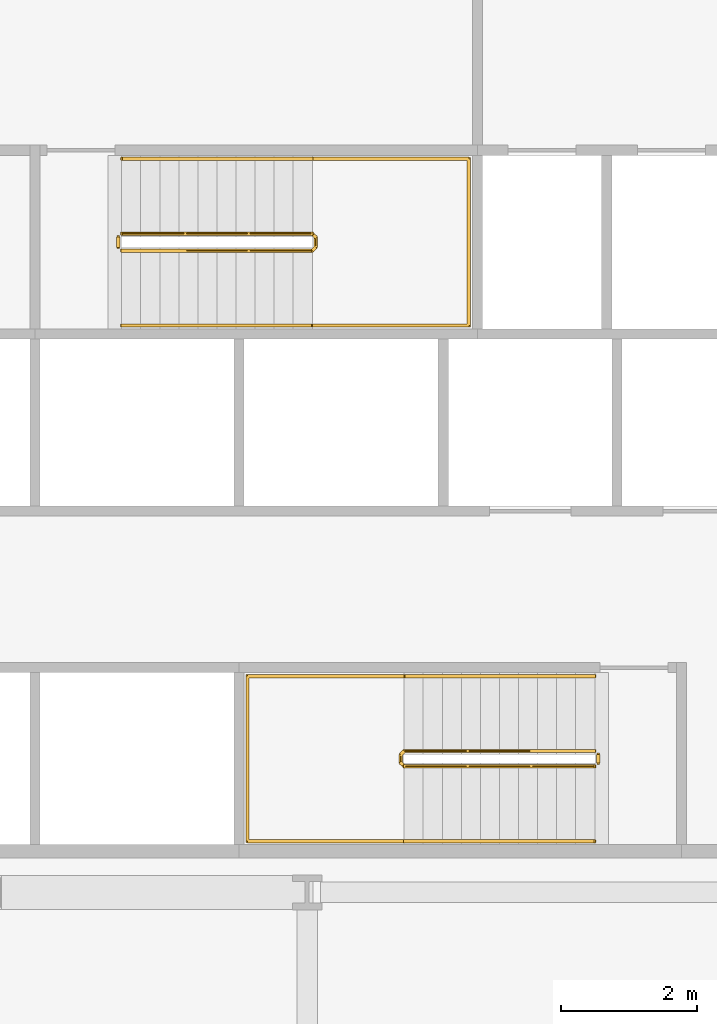
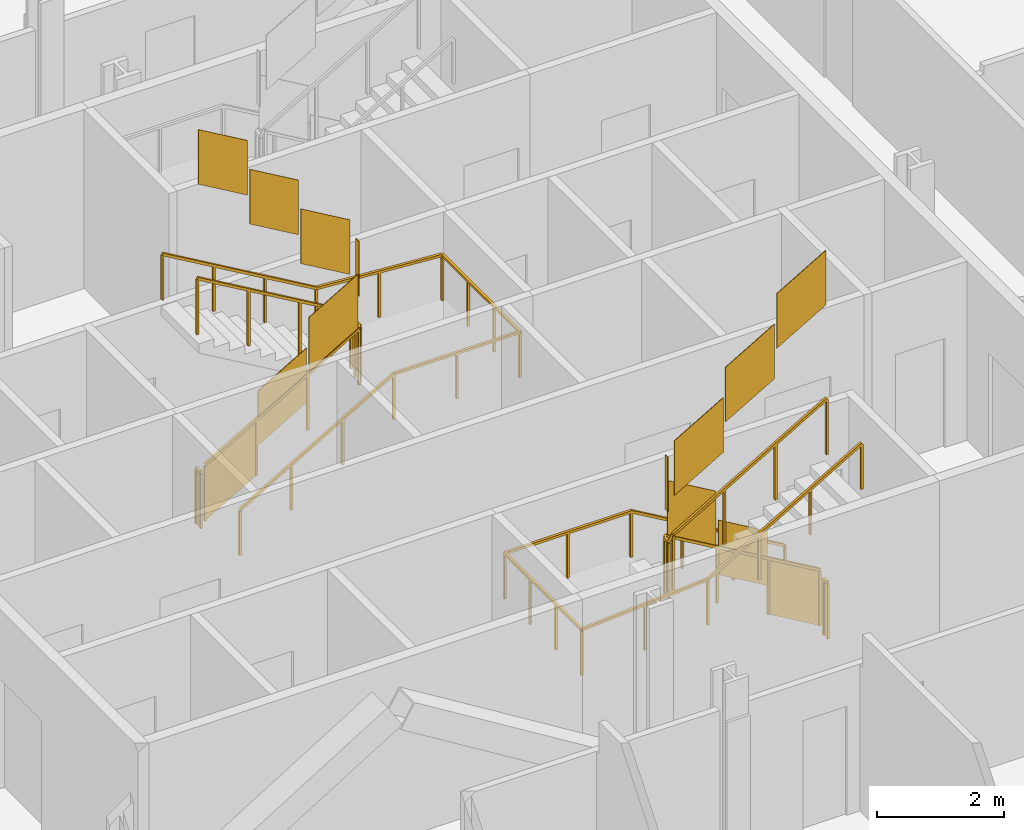
# One storey, part 14 of 17: 6 railings.
"""IFC4 building model written with IfcOpenShell, lengths in metres."""

from ifc_helpers import new_model, si_unit, direction, frame, origin, origin_2d, place, context, subcontext, project, spatial, polyline, rectangle, outline, extrude, material, type_object, element, save


model = new_model("IFC4")

# Units and contexts
model_context = context("Model", 3, precision=1e-05, world=origin(), true_north=direction((0.0, 1.0)))
body_context = subcontext(model_context, "Body", "Model", "MODEL_VIEW")
ifc_project = project(units=[si_unit("LENGTHUNIT", "METRE"), si_unit("AREAUNIT", "SQUARE_METRE"), si_unit("VOLUMEUNIT", "CUBIC_METRE"), si_unit("PLANEANGLEUNIT", "RADIAN"), si_unit("MASSUNIT", "GRAM", prefix="KILO")], contexts=[model_context])

# Site, building, storey
site_placement = place(None, origin())
site = spatial("IfcSite", under=ifc_project, at=site_placement, CompositionType="ELEMENT")
building_placement = place(site_placement, origin())
building = spatial("IfcBuilding", under=site, at=building_placement, Name="Cairn Pilgrim Tower", CompositionType="ELEMENT")
storey_placement = place(building_placement, frame((0.0, 0.0, 79.800048828125)))
storey = spatial("IfcBuildingStorey", under=building, at=storey_placement, Name="L18", CompositionType="ELEMENT", Elevation=79.800048828125)

# Railings
ifc_material = material(Name="Painted steel", Category="steel")
railing_type_1 = type_object("IfcRailingType", Name="STAIR GUARD 1100", PredefinedType="GUARDRAIL", material=ifc_material)
railing_1_placement = place(storey_placement, frame((11.425048828125, -3.925048828125, 0.16357421875)))
element("IfcRailing", 1, at=railing_1_placement, inside=storey, type_object=railing_type_1, Name="L18 ST-A stair guard 1", PredefinedType="GUARDRAIL", context=body_context, shape_type="SweptSolid", body=[
    extrude(rectangle(XDim=0.048095703125, YDim=0.048095703125, at=origin_2d()), frame((0.0, 0.0, 1.076171875), z_axis=(-0.863360870873, 0.0, 0.504586966384), x_axis=(0.0, -1.0, 0.0)), (0.0, 0.0, 1.0), 3.2431640625),
    extrude(rectangle(XDim=0.048095703125, YDim=0.048095703125, at=origin_2d()), frame((-2.800048828125, 0.0, 2.71240234375), z_axis=(-0.707106781187, -0.707106781187, 0.0), x_axis=(0.707106781187, -0.707106781187, 0.0)), (0.0, 0.0, 1.0), 0.07080078125),
    extrude(rectangle(XDim=0.048095703125, YDim=0.048095703125, at=origin_2d()), frame((-2.85009765625, -0.050048828125, 2.71240234375), z_axis=(0.0, -1.0, 0.0), x_axis=(1.0, 0.0, 0.0)), (0.0, 0.0, 1.0), 0.125),
    extrude(rectangle(XDim=0.048095703125, YDim=0.048095703125, at=origin_2d()), frame((-2.85009765625, -0.175048828125, 2.71240234375), z_axis=(0.280916556609, -0.279546231943, 0.91811752648), x_axis=(0.705375805398, 0.708833529934, 0.0)), (0.0, 0.0, 1.0), 0.17822265625),
    extrude(rectangle(XDim=0.048095703125, YDim=0.048095703125, at=origin_2d()), frame((-2.800048828125, -0.224853515625, 2.8759765625), z_axis=(0.863393664356, 0.0, 0.504530851732), x_axis=(0.0, 1.0, 0.0)), (0.0, 0.0, 1.0), 3.2431640625),
    extrude(rectangle(XDim=0.0419921875, YDim=0.0419921875, at=origin_2d()), origin(), (0.0, 0.0, 1.0), 1.052001953125),
    extrude(rectangle(XDim=0.0419921875, YDim=0.0419921875, at=origin_2d()), frame((-0.933349609375, 0.0, 0.54541015625)), (0.0, 0.0, 1.0), 1.052001953125),
    extrude(rectangle(XDim=0.0419921875, YDim=0.0419921875, at=origin_2d()), frame((-1.86669921875, 0.0, 1.091064453125)), (0.0, 0.0, 1.0), 1.052001953125),
    extrude(rectangle(XDim=0.0419921875, YDim=0.0419921875, at=origin_2d()), frame((-2.800048828125, 0.0, 1.636474609375)), (0.0, 0.0, 1.0), 1.052001953125),
    extrude(rectangle(XDim=0.0419921875, YDim=0.0419921875, at=origin_2d()), frame((-2.85009765625, -0.050048828125, 1.636474609375)), (0.0, 0.0, 1.0), 1.052001953125),
    extrude(rectangle(XDim=0.0419921875, YDim=0.0419921875, at=origin_2d()), frame((-2.85009765625, -0.175048828125, 1.636474609375)), (0.0, 0.0, 1.0), 1.052001953125),
    extrude(rectangle(XDim=0.0419921875, YDim=0.0419921875, at=origin_2d()), frame((-2.800048828125, -0.224853515625, 1.800048828125)), (0.0, 0.0, 1.0), 1.052001953125),
    extrude(rectangle(XDim=0.0419921875, YDim=0.0419921875, at=origin_2d()), frame((-1.86669921875, -0.224853515625, 2.345458984375)), (0.0, 0.0, 1.0), 1.052001953125),
    extrude(rectangle(XDim=0.0419921875, YDim=0.0419921875, at=origin_2d()), frame((-0.933349609375, -0.224853515625, 2.890869140625)), (0.0, 0.0, 1.0), 1.052001953125),
    extrude(rectangle(XDim=0.0419921875, YDim=0.0419921875, at=origin_2d()), frame((0.0, -0.224853515625, 3.436279296875)), (0.0, 0.0, 1.0), 1.052001953125),
    extrude(outline(polyline([(0.02099609375, 0.01220703125), (0.912353515625, 0.533203125), (0.912353515625, 1.585205078125), (0.02099609375, 1.064208984375), (0.02099609375, 0.01220703125)])), frame((0.0, -0.005859375, 0.0), z_axis=(0.0, 1.0, 0.0), x_axis=(-1.0, 0.0, 0.0)), (0.0, 0.0, 1.0), 0.011962890625),
    extrude(outline(polyline([(0.02099609375, 0.557861328125), (0.912353515625, 1.07861328125), (0.912353515625, 2.130615234375), (0.02099609375, 1.60986328125), (0.02099609375, 0.557861328125)])), frame((-0.933349609375, -0.005859375, 0.54541015625), z_axis=(0.0, 1.0, 0.0), x_axis=(-1.0, 0.0, 0.0)), (0.0, 0.0, 1.0), 0.011962890625),
    extrude(outline(polyline([(0.02099609375, 1.103271484375), (0.912353515625, 1.624267578125), (0.912353515625, 2.67626953125), (0.02099609375, 2.1552734375), (0.02099609375, 1.103271484375)])), frame((-1.86669921875, -0.005859375, 1.091064453125), z_axis=(0.0, 1.0, 0.0), x_axis=(-1.0, 0.0, 0.0)), (0.0, 0.0, 1.0), 0.011962890625),
    extrude(outline(polyline([(0.02099609375, 1.636474609375), (0.10400390625, 1.636474609375), (0.10400390625, 2.6884765625), (0.02099609375, 2.6884765625), (0.02099609375, 1.636474609375)])), frame((-2.84423828125, -0.050048828125, 1.636474609375), z_axis=(-1.0, 0.0, 0.0), x_axis=(0.0, -1.0, 0.0)), (0.0, 0.0, 1.0), 0.011962890625),
    extrude(outline(polyline([(0.02099609375, 1.812255859375), (0.912353515625, 2.333251953125), (0.912353515625, 3.38525390625), (0.02099609375, 2.8642578125), (0.02099609375, 1.812255859375)])), frame((-2.800048828125, -0.21875, 1.800048828125), z_axis=(0.0, -1.0, 0.0), x_axis=(1.0, 0.0, 0.0)), (0.0, 0.0, 1.0), 0.011962890625),
    extrude(outline(polyline([(0.02099609375, 2.357666015625), (0.912353515625, 2.878662109375), (0.912353515625, 3.9306640625), (0.02099609375, 3.40966796875), (0.02099609375, 2.357666015625)])), frame((-1.86669921875, -0.21875, 2.345458984375), z_axis=(0.0, -1.0, 0.0), x_axis=(1.0, 0.0, 0.0)), (0.0, 0.0, 1.0), 0.011962890625),
    extrude(outline(polyline([(0.02099609375, 2.903076171875), (0.912353515625, 3.424072265625), (0.912353515625, 4.47607421875), (0.02099609375, 3.955078125), (0.02099609375, 2.903076171875)])), frame((-0.933349609375, -0.21875, 2.890869140625), z_axis=(0.0, -1.0, 0.0), x_axis=(1.0, 0.0, 0.0)), (0.0, 0.0, 1.0), 0.011962890625),
])
railing_2_placement = place(storey_placement, frame((11.47509765625, -3.97509765625, 0.0)))
element("IfcRailing", 2, at=railing_2_placement, inside=storey, type_object=railing_type_1, Name="L18 ST-A stair guard 2", PredefinedType="GUARDRAIL", context=body_context, shape_type="SweptSolid", body=[
    extrude(rectangle(XDim=0.048095703125, YDim=0.048095703125, at=origin_2d()), frame((0.0, 0.0, 1.076171875), z_axis=(0.0, -1.0, 0.0), x_axis=(1.0, 0.0, 0.0)), (0.0, 0.0, 1.0), 0.125),
    extrude(rectangle(XDim=0.0419921875, YDim=0.0419921875, at=origin_2d()), origin(), (0.0, 0.0, 1.0), 1.052001953125),
    extrude(rectangle(XDim=0.0419921875, YDim=0.0419921875, at=origin_2d()), frame((0.0, -0.125, 0.0)), (0.0, 0.0, 1.0), 1.052001953125),
    extrude(outline(polyline([(0.02099609375, 0.0), (0.10400390625, 0.0), (0.10400390625, 1.052001953125), (0.02099609375, 1.052001953125), (0.02099609375, 0.0)])), frame((0.005859375, 0.0, 0.0), z_axis=(-1.0, 0.0, 0.0), x_axis=(0.0, -1.0, 0.0)), (0.0, 0.0, 1.0), 0.011962890625),
])
railing_3_placement = place(storey_placement, frame((4.47509765625, 3.425048828125, 0.16357421875)))
element("IfcRailing", 3, at=railing_3_placement, inside=storey, type_object=railing_type_1, Name="L18 ST-B stair guard 1", PredefinedType="GUARDRAIL", context=body_context, shape_type="SweptSolid", body=[
    extrude(rectangle(XDim=0.048095703125, YDim=0.048095703125, at=origin_2d()), frame((0.0, 0.0, 1.076171875), z_axis=(0.863341702679, 0.0, 0.504619762213), x_axis=(0.0, 1.0, 0.0)), (0.0, 0.0, 1.0), 3.242919921875),
    extrude(rectangle(XDim=0.048095703125, YDim=0.048095703125, at=origin_2d()), frame((2.7998046875, 0.0, 2.71240234375), z_axis=(0.707106781187, 0.707106781187, 0.0), x_axis=(-0.707106781187, 0.707106781187, 0.0)), (0.0, 0.0, 1.0), 0.07080078125),
    extrude(rectangle(XDim=0.048095703125, YDim=0.048095703125, at=origin_2d()), frame((2.849853515625, 0.050048828125, 2.71240234375), z_axis=(0.0, 1.0, 0.0), x_axis=(-1.0, 0.0, 0.0)), (0.0, 0.0, 1.0), 0.14990234375),
    extrude(rectangle(XDim=0.048095703125, YDim=0.048095703125, at=origin_2d()), frame((2.849853515625, 0.199951171875, 2.71240234375), z_axis=(-0.280808744504, 0.280808744504, 0.917765164963), x_axis=(-0.707106781187, -0.707106781187, 0.0)), (0.0, 0.0, 1.0), 0.17822265625),
    extrude(rectangle(XDim=0.048095703125, YDim=0.048095703125, at=origin_2d()), frame((2.7998046875, 0.25, 2.8759765625), z_axis=(-0.863374499697, 0.0, 0.504563646405), x_axis=(0.0, -1.0, 0.0)), (0.0, 0.0, 1.0), 3.242919921875),
    extrude(rectangle(XDim=0.0419921875, YDim=0.0419921875, at=origin_2d()), origin(), (0.0, 0.0, 1.0), 1.052001953125),
    extrude(rectangle(XDim=0.0419921875, YDim=0.0419921875, at=origin_2d()), frame((0.933349609375, 0.0, 0.54541015625)), (0.0, 0.0, 1.0), 1.052001953125),
    extrude(rectangle(XDim=0.0419921875, YDim=0.0419921875, at=origin_2d()), frame((1.866455078125, 0.0, 1.091064453125)), (0.0, 0.0, 1.0), 1.052001953125),
    extrude(rectangle(XDim=0.0419921875, YDim=0.0419921875, at=origin_2d()), frame((2.7998046875, 0.0, 1.636474609375)), (0.0, 0.0, 1.0), 1.052001953125),
    extrude(rectangle(XDim=0.0419921875, YDim=0.0419921875, at=origin_2d()), frame((2.849853515625, 0.050048828125, 1.636474609375)), (0.0, 0.0, 1.0), 1.052001953125),
    extrude(rectangle(XDim=0.0419921875, YDim=0.0419921875, at=origin_2d()), frame((2.849853515625, 0.199951171875, 1.636474609375)), (0.0, 0.0, 1.0), 1.052001953125),
    extrude(rectangle(XDim=0.0419921875, YDim=0.0419921875, at=origin_2d()), frame((2.7998046875, 0.25, 1.800048828125)), (0.0, 0.0, 1.0), 1.052001953125),
    extrude(rectangle(XDim=0.0419921875, YDim=0.0419921875, at=origin_2d()), frame((1.866455078125, 0.25, 2.345458984375)), (0.0, 0.0, 1.0), 1.052001953125),
    extrude(rectangle(XDim=0.0419921875, YDim=0.0419921875, at=origin_2d()), frame((0.933349609375, 0.25, 2.890869140625)), (0.0, 0.0, 1.0), 1.052001953125),
    extrude(rectangle(XDim=0.0419921875, YDim=0.0419921875, at=origin_2d()), frame((0.0, 0.25, 3.436279296875)), (0.0, 0.0, 1.0), 1.052001953125),
    extrude(outline(polyline([(0.02099609375, 0.01220703125), (0.912353515625, 0.533203125), (0.912353515625, 1.585205078125), (0.02099609375, 1.064208984375), (0.02099609375, 0.01220703125)])), frame((0.0, 0.005859375, 0.0), z_axis=(0.0, -1.0, 0.0), x_axis=(1.0, 0.0, 0.0)), (0.0, 0.0, 1.0), 0.011962890625),
    extrude(outline(polyline([(0.02099609375, 0.557861328125), (0.912353515625, 1.07861328125), (0.912353515625, 2.130615234375), (0.02099609375, 1.60986328125), (0.02099609375, 0.557861328125)])), frame((0.933349609375, 0.005859375, 0.54541015625), z_axis=(0.0, -1.0, 0.0), x_axis=(1.0, 0.0, 0.0)), (0.0, 0.0, 1.0), 0.011962890625),
    extrude(outline(polyline([(0.02099609375, 1.103271484375), (0.912353515625, 1.624267578125), (0.912353515625, 2.67626953125), (0.02099609375, 2.1552734375), (0.02099609375, 1.103271484375)])), frame((1.866455078125, 0.005859375, 1.091064453125), z_axis=(0.0, -1.0, 0.0), x_axis=(1.0, 0.0, 0.0)), (0.0, 0.0, 1.0), 0.011962890625),
    extrude(outline(polyline([(0.02099609375, 1.636474609375), (0.12890625, 1.636474609375), (0.12890625, 2.6884765625), (0.02099609375, 2.6884765625), (0.02099609375, 1.636474609375)])), frame((2.84375, 0.050048828125, 1.636474609375), z_axis=(1.0, 0.0, 0.0), x_axis=(0.0, 1.0, 0.0)), (0.0, 0.0, 1.0), 0.011962890625),
    extrude(outline(polyline([(0.02099609375, 1.812255859375), (0.912353515625, 2.333251953125), (0.912353515625, 3.38525390625), (0.02099609375, 2.8642578125), (0.02099609375, 1.812255859375)])), frame((2.7998046875, 0.244140625, 1.800048828125), z_axis=(0.0, 1.0, 0.0), x_axis=(-1.0, 0.0, 0.0)), (0.0, 0.0, 1.0), 0.011962890625),
    extrude(outline(polyline([(0.02099609375, 2.357666015625), (0.912353515625, 2.878662109375), (0.912353515625, 3.9306640625), (0.02099609375, 3.40966796875), (0.02099609375, 2.357666015625)])), frame((1.866455078125, 0.244140625, 2.345458984375), z_axis=(0.0, 1.0, 0.0), x_axis=(-1.0, 0.0, 0.0)), (0.0, 0.0, 1.0), 0.011962890625),
    extrude(outline(polyline([(0.02099609375, 2.903076171875), (0.912353515625, 3.424072265625), (0.912353515625, 4.47607421875), (0.02099609375, 3.955078125), (0.02099609375, 2.903076171875)])), frame((0.933349609375, 0.244140625, 2.890869140625), z_axis=(0.0, 1.0, 0.0), x_axis=(-1.0, 0.0, 0.0)), (0.0, 0.0, 1.0), 0.011962890625),
])
railing_4_placement = place(storey_placement, frame((4.425048828125, 3.47509765625, 0.0)))
element("IfcRailing", 4, at=railing_4_placement, inside=storey, type_object=railing_type_1, Name="L18 ST-B stair guard 2", PredefinedType="GUARDRAIL", context=body_context, shape_type="SweptSolid", body=[
    extrude(rectangle(XDim=0.048095703125, YDim=0.048095703125, at=origin_2d()), frame((0.0, 0.0, 1.076171875), z_axis=(0.0, 1.0, 0.0), x_axis=(-1.0, 0.0, 0.0)), (0.0, 0.0, 1.0), 0.14990234375),
    extrude(rectangle(XDim=0.0419921875, YDim=0.0419921875, at=origin_2d()), origin(), (0.0, 0.0, 1.0), 1.052001953125),
    extrude(rectangle(XDim=0.0419921875, YDim=0.0419921875, at=origin_2d()), frame((0.0, 0.14990234375, 0.0)), (0.0, 0.0, 1.0), 1.052001953125),
    extrude(outline(polyline([(0.02099609375, 0.0), (0.12890625, 0.0), (0.12890625, 1.052001953125), (0.02099609375, 1.052001953125), (0.02099609375, 0.0)])), frame((-0.005859375, 0.0, 0.0), z_axis=(1.0, 0.0, 0.0), x_axis=(0.0, 1.0, 0.0)), (0.0, 0.0, 1.0), 0.011962890625),
])
railing_type_2 = type_object("IfcRailingType", Name="STAIR HANDRAIL 900", PredefinedType="HANDRAIL", material=ifc_material)
railing_5_placement = place(storey_placement, frame((11.425048828125, -2.824951171875, 0.16357421875)))
element("IfcRailing", 5, at=railing_5_placement, inside=storey, type_object=railing_type_2, Name="L18 ST-A stair handrail 1", PredefinedType="HANDRAIL", context=body_context, shape_type="SweptSolid", body=[
    extrude(rectangle(XDim=0.048095703125, YDim=0.048095703125, at=origin_2d()), frame((0.0, 0.0, 0.8759765625), z_axis=(-0.863360870873, 0.0, 0.504586966384), x_axis=(0.0, -1.0, 0.0)), (0.0, 0.0, 1.0), 3.2431640625),
    extrude(rectangle(XDim=0.048095703125, YDim=0.048095703125, at=origin_2d()), frame((-2.800048828125, 0.0, 2.51220703125), z_axis=(-1.0, 0.0, 0.0), x_axis=(0.0, -1.0, 0.0)), (0.0, 0.0, 1.0), 2.300048828125),
    extrude(rectangle(XDim=0.048095703125, YDim=0.048095703125, at=origin_2d()), frame((-5.10009765625, 0.0, 2.51220703125), z_axis=(0.0, -1.0, 0.0), x_axis=(1.0, 0.0, 0.0)), (0.0, 0.0, 1.0), 2.425048828125),
    extrude(rectangle(XDim=0.048095703125, YDim=0.048095703125, at=origin_2d()), frame((-5.10009765625, -2.425048828125, 2.51220703125), z_axis=(0.997480687736, 0.0, 0.070938548008), x_axis=(0.0, 1.0, 0.0)), (0.0, 0.0, 1.0), 2.305908203125),
    extrude(rectangle(XDim=0.048095703125, YDim=0.048095703125, at=origin_2d()), frame((-2.800048828125, -2.425048828125, 2.67578125), z_axis=(0.863393664356, 0.0, 0.504530851732), x_axis=(0.0, 1.0, 0.0)), (0.0, 0.0, 1.0), 3.2431640625),
    extrude(rectangle(XDim=0.0419921875, YDim=0.0419921875, at=origin_2d()), origin(), (0.0, 0.0, 1.0), 0.851806640625),
    extrude(rectangle(XDim=0.0419921875, YDim=0.0419921875, at=origin_2d()), frame((-0.933349609375, 0.0, 0.54541015625)), (0.0, 0.0, 1.0), 0.851806640625),
    extrude(rectangle(XDim=0.0419921875, YDim=0.0419921875, at=origin_2d()), frame((-1.86669921875, 0.0, 1.091064453125)), (0.0, 0.0, 1.0), 0.851806640625),
    extrude(rectangle(XDim=0.0419921875, YDim=0.0419921875, at=origin_2d()), frame((-2.800048828125, 0.0, 1.636474609375)), (0.0, 0.0, 1.0), 0.851806640625),
    extrude(rectangle(XDim=0.0419921875, YDim=0.0419921875, at=origin_2d()), frame((-3.9501953125, 0.0, 1.636474609375)), (0.0, 0.0, 1.0), 0.851806640625),
    extrude(rectangle(XDim=0.0419921875, YDim=0.0419921875, at=origin_2d()), frame((-5.10009765625, 0.0, 1.636474609375)), (0.0, 0.0, 1.0), 0.851806640625),
    extrude(rectangle(XDim=0.0419921875, YDim=0.0419921875, at=origin_2d()), frame((-5.10009765625, -0.808349609375, 1.636474609375)), (0.0, 0.0, 1.0), 0.851806640625),
    extrude(rectangle(XDim=0.0419921875, YDim=0.0419921875, at=origin_2d()), frame((-5.10009765625, -1.61669921875, 1.636474609375)), (0.0, 0.0, 1.0), 0.851806640625),
    extrude(rectangle(XDim=0.0419921875, YDim=0.0419921875, at=origin_2d()), frame((-5.10009765625, -2.425048828125, 1.636474609375)), (0.0, 0.0, 1.0), 0.851806640625),
    extrude(rectangle(XDim=0.0419921875, YDim=0.0419921875, at=origin_2d()), frame((-3.9501953125, -2.425048828125, 1.71826171875)), (0.0, 0.0, 1.0), 0.851806640625),
    extrude(rectangle(XDim=0.0419921875, YDim=0.0419921875, at=origin_2d()), frame((-2.800048828125, -2.425048828125, 1.800048828125)), (0.0, 0.0, 1.0), 0.851806640625),
    extrude(rectangle(XDim=0.0419921875, YDim=0.0419921875, at=origin_2d()), frame((-1.86669921875, -2.425048828125, 2.345458984375)), (0.0, 0.0, 1.0), 0.851806640625),
    extrude(rectangle(XDim=0.0419921875, YDim=0.0419921875, at=origin_2d()), frame((-0.933349609375, -2.425048828125, 2.890869140625)), (0.0, 0.0, 1.0), 0.851806640625),
    extrude(rectangle(XDim=0.0419921875, YDim=0.0419921875, at=origin_2d()), frame((0.0, -2.425048828125, 3.436279296875)), (0.0, 0.0, 1.0), 0.851806640625),
])
railing_6_placement = place(storey_placement, frame((4.47509765625, 2.324951171875, 0.16357421875)))
element("IfcRailing", 6, at=railing_6_placement, inside=storey, type_object=railing_type_2, Name="L18 ST-B stair handrail 1", PredefinedType="HANDRAIL", context=body_context, shape_type="SweptSolid", body=[
    extrude(rectangle(XDim=0.048095703125, YDim=0.048095703125, at=origin_2d()), frame((0.0, 0.0, 0.8759765625), z_axis=(0.863341702679, 0.0, 0.504619762213), x_axis=(0.0, 1.0, 0.0)), (0.0, 0.0, 1.0), 3.242919921875),
    extrude(rectangle(XDim=0.048095703125, YDim=0.048095703125, at=origin_2d()), frame((2.7998046875, 0.0, 2.51220703125), z_axis=(1.0, 0.0, 0.0), x_axis=(0.0, 1.0, 0.0)), (0.0, 0.0, 1.0), 2.300048828125),
    extrude(rectangle(XDim=0.048095703125, YDim=0.048095703125, at=origin_2d()), frame((5.099853515625, 0.0, 2.51220703125), z_axis=(0.0, 1.0, 0.0), x_axis=(-1.0, 0.0, 0.0)), (0.0, 0.0, 1.0), 2.449951171875),
    extrude(rectangle(XDim=0.048095703125, YDim=0.048095703125, at=origin_2d()), frame((5.099853515625, 2.449951171875, 2.51220703125), z_axis=(-0.997480687736, 0.0, 0.070938548008), x_axis=(0.0, -1.0, 0.0)), (0.0, 0.0, 1.0), 2.305908203125),
    extrude(rectangle(XDim=0.048095703125, YDim=0.048095703125, at=origin_2d()), frame((2.7998046875, 2.449951171875, 2.67578125), z_axis=(-0.863374499697, 0.0, 0.504563646405), x_axis=(0.0, -1.0, 0.0)), (0.0, 0.0, 1.0), 3.242919921875),
    extrude(rectangle(XDim=0.0419921875, YDim=0.0419921875, at=origin_2d()), origin(), (0.0, 0.0, 1.0), 0.851806640625),
    extrude(rectangle(XDim=0.0419921875, YDim=0.0419921875, at=origin_2d()), frame((0.933349609375, 0.0, 0.54541015625)), (0.0, 0.0, 1.0), 0.851806640625),
    extrude(rectangle(XDim=0.0419921875, YDim=0.0419921875, at=origin_2d()), frame((1.866455078125, 0.0, 1.091064453125)), (0.0, 0.0, 1.0), 0.851806640625),
    extrude(rectangle(XDim=0.0419921875, YDim=0.0419921875, at=origin_2d()), frame((2.7998046875, 0.0, 1.636474609375)), (0.0, 0.0, 1.0), 0.851806640625),
    extrude(rectangle(XDim=0.0419921875, YDim=0.0419921875, at=origin_2d()), frame((3.94970703125, 0.0, 1.636474609375)), (0.0, 0.0, 1.0), 0.851806640625),
    extrude(rectangle(XDim=0.0419921875, YDim=0.0419921875, at=origin_2d()), frame((5.099853515625, 0.0, 1.636474609375)), (0.0, 0.0, 1.0), 0.851806640625),
    extrude(rectangle(XDim=0.0419921875, YDim=0.0419921875, at=origin_2d()), frame((5.099853515625, 0.816650390625, 1.636474609375)), (0.0, 0.0, 1.0), 0.851806640625),
    extrude(rectangle(XDim=0.0419921875, YDim=0.0419921875, at=origin_2d()), frame((5.099853515625, 1.63330078125, 1.636474609375)), (0.0, 0.0, 1.0), 0.851806640625),
    extrude(rectangle(XDim=0.0419921875, YDim=0.0419921875, at=origin_2d()), frame((5.099853515625, 2.449951171875, 1.636474609375)), (0.0, 0.0, 1.0), 0.851806640625),
    extrude(rectangle(XDim=0.0419921875, YDim=0.0419921875, at=origin_2d()), frame((3.94970703125, 2.449951171875, 1.71826171875)), (0.0, 0.0, 1.0), 0.851806640625),
    extrude(rectangle(XDim=0.0419921875, YDim=0.0419921875, at=origin_2d()), frame((2.7998046875, 2.449951171875, 1.800048828125)), (0.0, 0.0, 1.0), 0.851806640625),
    extrude(rectangle(XDim=0.0419921875, YDim=0.0419921875, at=origin_2d()), frame((1.866455078125, 2.449951171875, 2.345458984375)), (0.0, 0.0, 1.0), 0.851806640625),
    extrude(rectangle(XDim=0.0419921875, YDim=0.0419921875, at=origin_2d()), frame((0.933349609375, 2.449951171875, 2.890869140625)), (0.0, 0.0, 1.0), 0.851806640625),
    extrude(rectangle(XDim=0.0419921875, YDim=0.0419921875, at=origin_2d()), frame((0.0, 2.449951171875, 3.436279296875)), (0.0, 0.0, 1.0), 0.851806640625),
])

save(model, "model.ifc")
